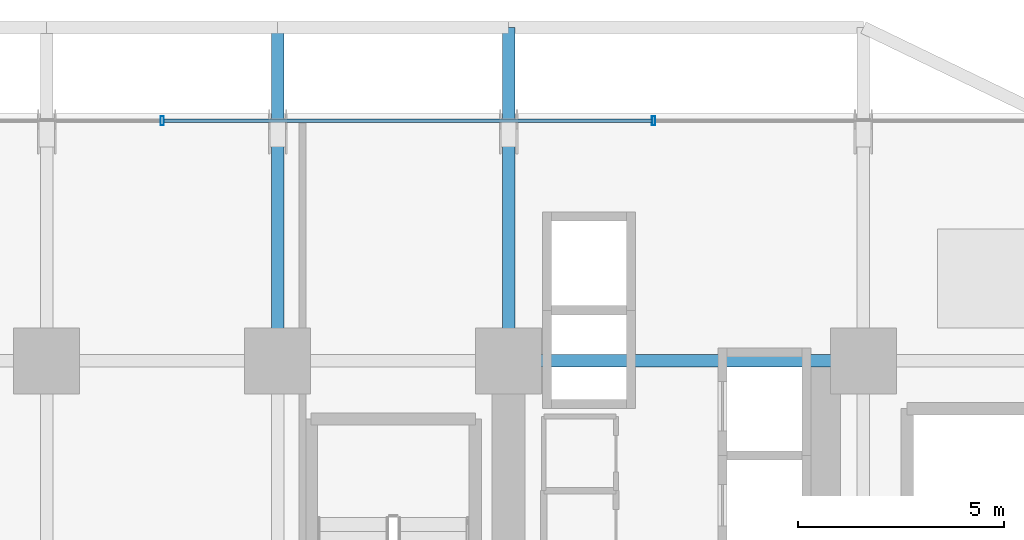
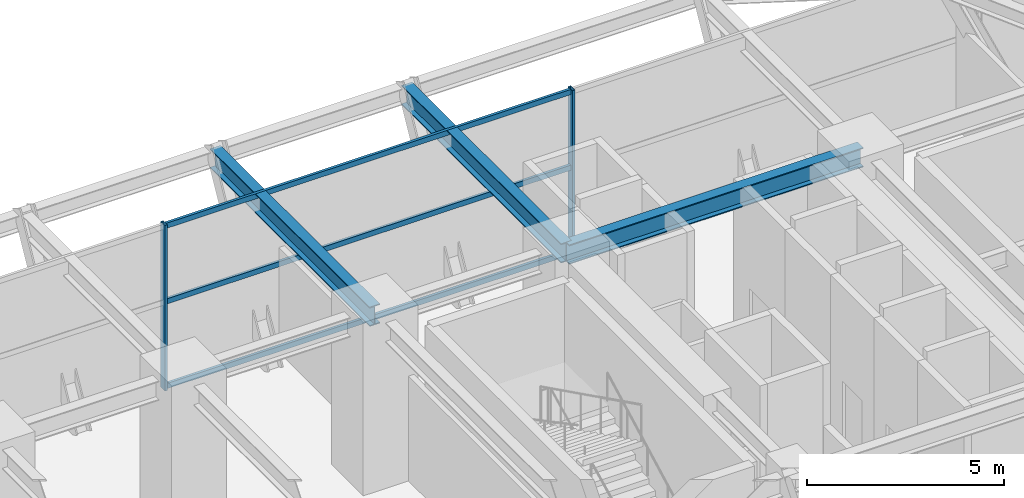
# One storey, part 16 of 29: 5 members, 3 beams, 1 element without a shape of its own.
"""IFC4 building model written with IfcOpenShell, lengths in metres."""

from ifc_helpers import new_model, si_unit, direction, frame, origin, origin_2d, place, context, subcontext, project, spatial, hollow_rectangle, i_section, extrude, source, transform, mapped, material, material_profile, profile_set, type_object, element, aggregate, save


model = new_model("IFC4")

# Units and contexts
model_context = context("Model", 3, precision=1e-05, world=origin(), true_north=direction((0.0, 1.0)))
body_context = subcontext(model_context, "Body", "Model", "MODEL_VIEW")
ifc_project = project(units=[si_unit("LENGTHUNIT", "METRE"), si_unit("AREAUNIT", "SQUARE_METRE"), si_unit("VOLUMEUNIT", "CUBIC_METRE"), si_unit("PLANEANGLEUNIT", "RADIAN"), si_unit("MASSUNIT", "GRAM", prefix="KILO")], contexts=[model_context])

# Site, building, storey
site_placement = place(None, origin())
site = spatial("IfcSite", under=ifc_project, at=site_placement, CompositionType="ELEMENT")
building_placement = place(site_placement, origin())
building = spatial("IfcBuilding", under=site, at=building_placement, Name="Nahalor Promenade Grand Hotel", CompositionType="ELEMENT")
storey_placement = place(building_placement, frame((0.0, 0.0, 27.0)))
storey = spatial("IfcBuildingStorey", under=building, at=storey_placement, Name="L05", CompositionType="ELEMENT", Elevation=27.0)

# Beams
ifc_material_1 = material(Name="Steel S355JR", Category="steel")
ifc_material_profile_1 = material_profile(ifc_material_1, i_section(OverallWidth=0.3, OverallDepth=0.6, WebThickness=0.0155, FlangeThickness=0.03, at=origin_2d()), Name="HEB 600")
ifc_profile_set_1 = profile_set([ifc_material_profile_1], Name="Steel S355JR")
beam_type = type_object("IfcBeamType", Name="Beam-Girder-HEB600", PredefinedType="BEAM", material=ifc_profile_set_1)
shared_shape_1 = source(origin(), body_context, "Body", "SweptSolid", [
    extrude(i_section(OverallWidth=0.3, OverallDepth=0.6, WebThickness=0.0155, FlangeThickness=0.03, at=origin_2d()), origin(), (0.0, 0.0, 1.0), 8.60009765625),
])
beam_placement = place(storey_placement, frame((8.39990234375, 17.0, 4.820068359375), z_axis=(1.0, 0.0, 0.0), x_axis=(0.0, 1.0, 0.0)))
element("IfcBeam", 1, at=beam_placement, inside=storey, type_object=beam_type, Name="BM-L05-GX-3-5", PredefinedType="BEAM", context=body_context, shape_type="MappedRepresentation", body=[
    mapped(shared_shape_1, transform((0.0, 0.0, 0.0), scale=1.0)),
])
shared_shape_2 = source(origin(), body_context, "Body", "SweptSolid", [
    extrude(i_section(OverallWidth=0.3, OverallDepth=0.6, WebThickness=0.0155, FlangeThickness=0.03, at=origin_2d()), origin(), (0.0, 0.0, 1.0), 8.080078125),
])
for number, where, z_axis, x_axis, name in (
    (2, (2.800048828125, 17.0, 4.820068359375), (0.0, 1.0, 0.0), (-1.0, 0.0, 0.0), "BM-L05-GY-3-4"),
    (3, (8.39990234375, 17.0, 4.820068359375), (0.0, 1.0, 0.0), (-1.0, 0.0, 0.0), "BM-L05-GY-4-4"),
):
    element("IfcBeam", number, at=place(storey_placement, frame(where, z_axis=z_axis, x_axis=x_axis)), inside=storey, type_object=beam_type, Name=name, PredefinedType="BEAM", context=body_context, shape_type="MappedRepresentation", body=[
        mapped(shared_shape_2, transform((0.0, 0.0, 0.0), scale=1.0)),
    ])

# Curtain wall, members
ifc_material_2 = material(Name="Anodised Bronze Aluminium EN AW-6063 T6", Category="aluminium")
curtain_wall_type = type_object("IfcCurtainWallType", Name="CW1 Waterfront Podium Bronze Arcade Curtain Wall", PredefinedType="USERDEFINED", material=ifc_material_2)
curtain_wall_placement = place(storey_placement, origin())
curtain_wall = element("IfcCurtainWall", 4, at=curtain_wall_placement, inside=storey, type_object=curtain_wall_type, Name="L05 Curtain Wall CW-L05-N", ObjectType="UNITISED_CURTAIN_WALL", PredefinedType="USERDEFINED")
ifc_material_profile_2 = material_profile(ifc_material_2, hollow_rectangle(XDim=0.08, YDim=0.22, WallThickness=0.005, at=origin_2d()), Name="CWM 80x220x5")
ifc_profile_set_2 = profile_set([ifc_material_profile_2], Name="Anodised Bronze Aluminium EN AW-6063 T6")
member_type_1 = type_object("IfcMemberType", Name="CWM1 Podium Bronze Mullion 80x220", PredefinedType="MULLION", material=ifc_profile_set_2)
shared_shape_3 = source(origin(), body_context, "Body", "SweptSolid", [
    extrude(hollow_rectangle(XDim=0.08, YDim=0.22, WallThickness=0.005, at=origin_2d()), origin(), (0.0, 0.0, 1.0), 5.1201171875),
])
member_1_placement = place(storey_placement, frame((0.0, 22.820068359375, 0.0), z_axis=(0.0, 0.0, 1.0), x_axis=(1.0, 0.0, 0.0)))
member_1 = element("IfcMember", 5, at=member_1_placement, type_object=member_type_1, Name="CW-L05-N Mullion 2", PredefinedType="MULLION", context=body_context, shape_type="MappedRepresentation", body=[
    mapped(shared_shape_3, transform((0.0, 0.0, 0.0), scale=1.0)),
])
member_2_placement = place(storey_placement, frame((11.909912109375, 22.820068359375, 0.0), z_axis=(0.0, 0.0, 1.0), x_axis=(1.0, 0.0, 0.0)))
member_2 = element("IfcMember", 6, at=member_2_placement, type_object=member_type_1, Name="CW-L05-N Mullion 3", PredefinedType="MULLION", context=body_context, shape_type="MappedRepresentation", body=[
    mapped(shared_shape_3, transform((0.0, 0.0, 0.0), scale=1.0)),
])
ifc_material_profile_3 = material_profile(ifc_material_2, hollow_rectangle(XDim=0.08, YDim=0.16, WallThickness=0.004, at=origin_2d()), Name="CWT 80x160x4")
ifc_profile_set_3 = profile_set([ifc_material_profile_3], Name="Anodised Bronze Aluminium EN AW-6063 T6")
member_type_2 = type_object("IfcMemberType", Name="CWT1 Podium Bronze Transom 80x160", PredefinedType="USERDEFINED", material=ifc_profile_set_3)
shared_shape_4 = source(origin(), body_context, "Body", "SweptSolid", [
    extrude(hollow_rectangle(XDim=0.08, YDim=0.16, WallThickness=0.004, at=origin_2d()), origin(), (0.0, 0.0, 1.0), 11.830078125),
])
member_3_placement = place(storey_placement, frame((0.0400390625, 22.820068359375, 0.080078125), z_axis=(1.0, 0.0, 0.0), x_axis=(0.0, 1.0, 0.0)))
member_3 = element("IfcMember", 7, at=member_3_placement, type_object=member_type_2, Name="CW-L05-N Transom 2-0", ObjectType="TRANSOM", PredefinedType="USERDEFINED", context=body_context, shape_type="MappedRepresentation", body=[
    mapped(shared_shape_4, transform((0.0, 0.0, 0.0), scale=1.0)),
])
member_4_placement = place(storey_placement, frame((0.0400390625, 22.820068359375, 2.699951171875), z_axis=(1.0, 0.0, 0.0), x_axis=(0.0, 1.0, 0.0)))
member_4 = element("IfcMember", 8, at=member_4_placement, type_object=member_type_2, Name="CW-L05-N Transom 2-1", ObjectType="TRANSOM", PredefinedType="USERDEFINED", context=body_context, shape_type="MappedRepresentation", body=[
    mapped(shared_shape_4, transform((0.0, 0.0, 0.0), scale=1.0)),
])
member_5_placement = place(storey_placement, frame((0.0400390625, 22.820068359375, 5.0400390625), z_axis=(1.0, 0.0, 0.0), x_axis=(0.0, 1.0, 0.0)))
member_5 = element("IfcMember", 9, at=member_5_placement, type_object=member_type_2, Name="CW-L05-N Transom 2-2", ObjectType="TRANSOM", PredefinedType="USERDEFINED", context=body_context, shape_type="MappedRepresentation", body=[
    mapped(shared_shape_4, transform((0.0, 0.0, 0.0), scale=1.0)),
])
aggregate(curtain_wall, [member_1, member_2, member_3, member_4, member_5])

save(model, "model.ifc")
